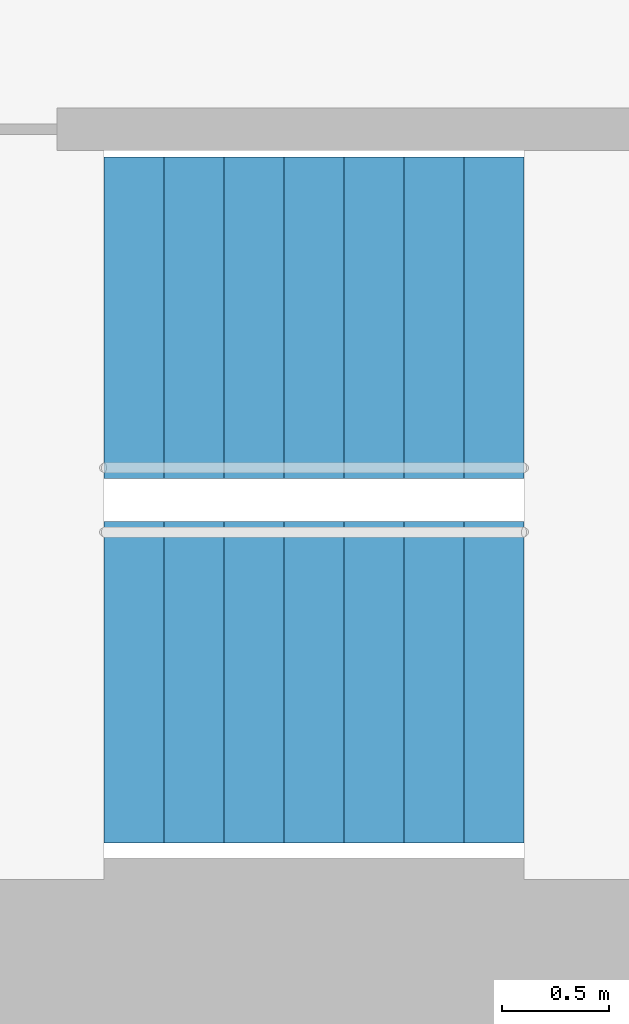
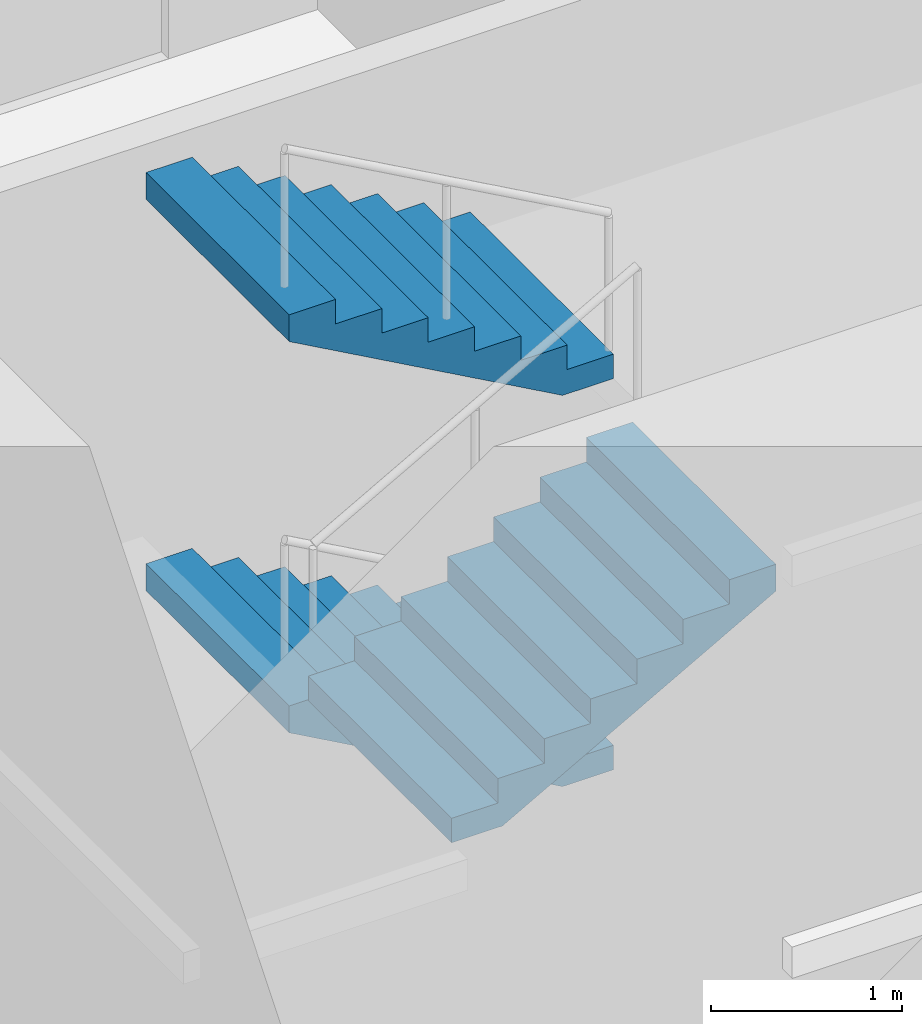
# One storey, part 31 of 73: 3 stair flights, 1 element without a shape of its own.
"""IFC4 building model written with IfcOpenShell, lengths in metres."""

from ifc_helpers import new_model, si_unit, direction, frame, origin, place, context, subcontext, project, spatial, triangles, material, type_object, element, aggregate, save


model = new_model("IFC4")

# Units and contexts
model_context = context("Model", 3, precision=1e-05, world=origin(), true_north=direction((0.0, 1.0)))
body_context = subcontext(model_context, "Body", "Model", "MODEL_VIEW")
ifc_project = project(units=[si_unit("LENGTHUNIT", "METRE"), si_unit("AREAUNIT", "SQUARE_METRE"), si_unit("VOLUMEUNIT", "CUBIC_METRE"), si_unit("PLANEANGLEUNIT", "RADIAN"), si_unit("MASSUNIT", "GRAM", prefix="KILO")], contexts=[model_context])

# Site, building, storey
site_placement = place(None, origin())
site = spatial("IfcSite", under=ifc_project, at=site_placement, CompositionType="ELEMENT")
building_placement = place(site_placement, origin())
building = spatial("IfcBuilding", under=site, at=building_placement, Name="Lantaw Convention Tower", CompositionType="ELEMENT")
storey_placement = place(building_placement, frame((0.0, 0.0, 27.0)))
storey = spatial("IfcBuildingStorey", under=building, at=storey_placement, Name="L04", CompositionType="ELEMENT", Elevation=27.0)

# Stair, stair flights
ifc_material = material(Name="Concrete C35/45", Category="concrete")
stair_type = type_object("IfcStairType", Name="Exit stair 1500 riser 156.25 in 4 flights", PredefinedType="HALF_TURN_STAIR", material=ifc_material)
stair_placement = place(storey_placement, origin())
stair = element("IfcStair", 1, at=stair_placement, inside=storey, type_object=stair_type, Name="Exit stair S1 L04", PredefinedType="HALF_TURN_STAIR")
stair_flight_type = type_object("IfcStairFlightType", Name="Stair flight 1500 riser 156.25", PredefinedType="STRAIGHT", material=ifc_material)
stair_flight_1_placement = place(storey_placement, frame((-8.6201171875, -4.280029296875, 1.25), z_axis=(0.0, 0.0, 1.0), x_axis=(-1.0, 0.0, 0.0)))
stair_flight_1 = element("IfcStairFlight", 2, at=stair_flight_1_placement, type_object=stair_flight_type, Name="S1 flight 2", NumberOfRisers=8, NumberOfTreads=7, PredefinedType="STRAIGHT", RiserHeight=0.15625, TreadLength=0.28, context=body_context, shape_type="Tessellation", body=[
    triangles([(0.0, 0.75, 0.0), (0.0, 0.75, 0.15625), (0.28, 0.75, 0.0), (0.28, 0.75, 0.15625), (0.28, 0.75, 0.3125), (0.3076200632058044, 0.75, 0.0), (0.3076200632058044, 0.75, 0.3125), (0.56, 0.75, 0.14083701830033238), (0.56, 0.75, 0.3125), (0.56, 0.75, 0.46875), (0.8400000000000001, 0.75, 0.29708701830033235), (0.8400000000000001, 0.75, 0.46875), (0.8400000000000001, 0.75, 0.625), (1.12, 0.75, 0.45333701830033235), (1.12, 0.75, 0.625), (1.12, 0.75, 0.78125), (1.4000000000000001, 0.75, 0.6095870183003324), (1.4000000000000001, 0.75, 0.78125), (1.4000000000000001, 0.75, 0.9375), (1.6800000000000002, 0.75, 0.7658370183003324), (1.6800000000000002, 0.75, 0.9375), (1.6800000000000002, 0.75, 1.09375), (1.9600000000000002, 0.75, 0.9220870183003324), (1.9600000000000002, 0.75, 1.09375), (0.0, -0.75, 0.0), (0.0, -0.75, 0.15625), (0.28, -0.75, 0.0), (0.28, -0.75, 0.15625), (0.28, -0.75, 0.3125), (0.3076200632058044, -0.75, 0.0), (0.3076200632058044, -0.75, 0.3125), (0.56, -0.75, 0.14083701830033238), (0.56, -0.75, 0.3125), (0.56, -0.75, 0.46875), (0.8400000000000001, -0.75, 0.29708701830033235), (0.8400000000000001, -0.75, 0.46875), (0.8400000000000001, -0.75, 0.625), (1.12, -0.75, 0.45333701830033235), (1.12, -0.75, 0.625), (1.12, -0.75, 0.78125), (1.4000000000000001, -0.75, 0.6095870183003324), (1.4000000000000001, -0.75, 0.78125), (1.4000000000000001, -0.75, 0.9375), (1.6800000000000002, -0.75, 0.7658370183003324), (1.6800000000000002, -0.75, 0.9375), (1.6800000000000002, -0.75, 1.09375), (1.9600000000000002, -0.75, 0.9220870183003324), (1.9600000000000002, -0.75, 1.09375), (0.0, 0.15000000000000002, 0.15625), (0.0, 0.15000000000000002, 0.0), (0.0, 0.0, 0.15625), (0.0, 0.0, 0.0), (0.0, -0.15000000000000002, 0.15625), (0.0, -0.15000000000000002, 0.0), (0.28, 0.15000000000000002, 0.3125), (0.28, 0.15000000000000002, 0.15625), (0.28, 0.0, 0.3125), (0.28, 0.0, 0.15625), (0.28, -0.15000000000000002, 0.3125), (0.28, -0.15000000000000002, 0.15625), (0.56, 0.15000000000000002, 0.46875), (0.56, 0.15000000000000002, 0.3125), (0.56, 0.0, 0.46875), (0.56, 0.0, 0.3125), (0.56, -0.15000000000000002, 0.46875), (0.56, -0.15000000000000002, 0.3125), (0.8400000000000001, 0.15000000000000002, 0.625), (0.8400000000000001, 0.15000000000000002, 0.46875), (0.8400000000000001, 0.0, 0.625), (0.8400000000000001, 0.0, 0.46875), (0.8400000000000001, -0.15000000000000002, 0.625), (0.8400000000000001, -0.15000000000000002, 0.46875), (1.12, 0.15000000000000002, 0.78125), (1.12, 0.15000000000000002, 0.625), (1.12, 0.0, 0.78125), (1.12, 0.0, 0.625), (1.12, -0.15000000000000002, 0.78125), (1.12, -0.15000000000000002, 0.625), (1.4000000000000001, 0.15000000000000002, 0.9375), (1.4000000000000001, 0.15000000000000002, 0.78125), (1.4000000000000001, 0.0, 0.9375), (1.4000000000000001, 0.0, 0.78125), (1.4000000000000001, -0.15000000000000002, 0.9375), (1.4000000000000001, -0.15000000000000002, 0.78125), (1.6800000000000002, 0.15000000000000002, 1.09375), (1.6800000000000002, 0.15000000000000002, 0.9375), (1.6800000000000002, 0.0, 1.09375), (1.6800000000000002, 0.0, 0.9375), (1.6800000000000002, -0.15000000000000002, 1.09375), (1.6800000000000002, -0.15000000000000002, 0.9375), (0.3076200632058044, 0.15000000000000002, 0.3125), (0.3076200632058044, 0.0, 0.3125), (0.3076200632058044, -0.15000000000000002, 0.3125), (1.9600000000000002, 0.15000000000000002, 1.09375), (1.9600000000000002, 0.0, 1.09375), (1.9600000000000002, -0.15000000000000002, 1.09375), (1.9600000000000002, 0.15000000000000002, 0.9220870183003324), (1.9600000000000002, 0.0, 0.9220870183003324), (1.9600000000000002, -0.15000000000000002, 0.9220870183003324), (1.6800000000000002, 0.15000000000000002, 0.7658370183003324), (1.6800000000000002, 0.0, 0.7658370183003324), (1.6800000000000002, -0.15000000000000002, 0.7658370183003324), (1.4000000000000001, 0.15000000000000002, 0.6095870183003324), (1.4000000000000001, 0.0, 0.6095870183003324), (1.4000000000000001, -0.15000000000000002, 0.6095870183003324), (1.12, 0.15000000000000002, 0.45333701830033235), (1.12, 0.0, 0.45333701830033235), (1.12, -0.15000000000000002, 0.45333701830033235), (0.8400000000000001, 0.15000000000000002, 0.29708701830033235), (0.8400000000000001, 0.0, 0.29708701830033235), (0.8400000000000001, -0.15000000000000002, 0.29708701830033235), (0.56, 0.15000000000000002, 0.14083701830033238), (0.56, 0.0, 0.14083701830033238), (0.56, -0.15000000000000002, 0.14083701830033238), (0.3076200632058044, 0.15000000000000002, 0.0), (0.3076200632058044, 0.0, 0.0), (0.3076200632058044, -0.15000000000000002, 0.0), (0.28, 0.15000000000000002, 0.0), (0.28, 0.0, 0.0), (0.28, -0.15000000000000002, 0.0)], [[1, 4, 3], [1, 2, 4], [3, 4, 6], [4, 7, 6], [4, 5, 7], [6, 9, 8], [6, 7, 9], [8, 9, 11], [9, 12, 11], [9, 10, 12], [11, 12, 14], [12, 15, 14], [12, 13, 15], [14, 15, 17], [15, 18, 17], [15, 16, 18], [17, 18, 20], [18, 21, 20], [18, 19, 21], [20, 21, 23], [21, 24, 23], [21, 22, 24], [25, 27, 28], [25, 28, 26], [27, 30, 28], [28, 30, 31], [28, 31, 29], [30, 32, 33], [30, 33, 31], [32, 35, 33], [33, 35, 36], [33, 36, 34], [35, 38, 36], [36, 38, 39], [36, 39, 37], [38, 41, 39], [39, 41, 42], [39, 42, 40], [41, 44, 42], [42, 44, 45], [42, 45, 43], [44, 47, 45], [45, 47, 48], [45, 48, 46], [1, 49, 2], [1, 50, 49], [50, 51, 49], [50, 52, 51], [52, 53, 51], [52, 54, 53], [54, 26, 53], [54, 25, 26], [4, 55, 5], [4, 56, 55], [56, 57, 55], [56, 58, 57], [58, 59, 57], [58, 60, 59], [60, 29, 59], [60, 28, 29], [9, 61, 10], [9, 62, 61], [62, 63, 61], [62, 64, 63], [64, 65, 63], [64, 66, 65], [66, 34, 65], [66, 33, 34], [12, 67, 13], [12, 68, 67], [68, 69, 67], [68, 70, 69], [70, 71, 69], [70, 72, 71], [72, 37, 71], [72, 36, 37], [15, 73, 16], [15, 74, 73], [74, 75, 73], [74, 76, 75], [76, 77, 75], [76, 78, 77], [78, 40, 77], [78, 39, 40], [18, 79, 19], [18, 80, 79], [80, 81, 79], [80, 82, 81], [82, 83, 81], [82, 84, 83], [84, 43, 83], [84, 42, 43], [21, 85, 22], [21, 86, 85], [86, 87, 85], [86, 88, 87], [88, 89, 87], [88, 90, 89], [90, 46, 89], [90, 45, 46], [2, 56, 4], [2, 49, 56], [49, 58, 56], [49, 51, 58], [51, 60, 58], [51, 53, 60], [53, 28, 60], [53, 26, 28], [5, 91, 7], [5, 55, 91], [55, 92, 91], [55, 57, 92], [57, 93, 92], [57, 59, 93], [59, 31, 93], [59, 29, 31], [7, 62, 9], [7, 91, 62], [91, 64, 62], [91, 92, 64], [92, 66, 64], [92, 93, 66], [93, 33, 66], [93, 31, 33], [10, 68, 12], [10, 61, 68], [61, 70, 68], [61, 63, 70], [63, 72, 70], [63, 65, 72], [65, 36, 72], [65, 34, 36], [13, 74, 15], [13, 67, 74], [67, 76, 74], [67, 69, 76], [69, 78, 76], [69, 71, 78], [71, 39, 78], [71, 37, 39], [16, 80, 18], [16, 73, 80], [73, 82, 80], [73, 75, 82], [75, 84, 82], [75, 77, 84], [77, 42, 84], [77, 40, 42], [19, 86, 21], [19, 79, 86], [79, 88, 86], [79, 81, 88], [81, 90, 88], [81, 83, 90], [83, 45, 90], [83, 43, 45], [22, 94, 24], [22, 85, 94], [85, 95, 94], [85, 87, 95], [87, 96, 95], [87, 89, 96], [89, 48, 96], [89, 46, 48], [24, 97, 23], [24, 94, 97], [94, 98, 97], [94, 95, 98], [95, 99, 98], [95, 96, 99], [96, 47, 99], [96, 48, 47], [23, 100, 20], [23, 97, 100], [97, 101, 100], [97, 98, 101], [98, 102, 101], [98, 99, 102], [99, 44, 102], [99, 47, 44], [20, 103, 17], [20, 100, 103], [100, 104, 103], [100, 101, 104], [101, 105, 104], [101, 102, 105], [102, 41, 105], [102, 44, 41], [17, 106, 14], [17, 103, 106], [103, 107, 106], [103, 104, 107], [104, 108, 107], [104, 105, 108], [105, 38, 108], [105, 41, 38], [14, 109, 11], [14, 106, 109], [106, 110, 109], [106, 107, 110], [107, 111, 110], [107, 108, 111], [108, 35, 111], [108, 38, 35], [11, 112, 8], [11, 109, 112], [109, 113, 112], [109, 110, 113], [110, 114, 113], [110, 111, 114], [111, 32, 114], [111, 35, 32], [8, 115, 6], [8, 112, 115], [112, 116, 115], [112, 113, 116], [113, 117, 116], [113, 114, 117], [114, 30, 117], [114, 32, 30], [6, 118, 3], [6, 115, 118], [115, 119, 118], [115, 116, 119], [116, 120, 119], [116, 117, 120], [117, 27, 120], [117, 30, 27], [3, 50, 1], [3, 118, 50], [118, 52, 50], [118, 119, 52], [119, 54, 52], [119, 120, 54], [120, 25, 54], [120, 27, 25]], closed=True),
])
stair_flight_2_placement = place(storey_placement, frame((-10.580078125, -5.97998046875, 2.5), z_axis=(0.0, 0.0, 1.0), x_axis=(1.0, 0.0, 0.0)))
stair_flight_2 = element("IfcStairFlight", 3, at=stair_flight_2_placement, type_object=stair_flight_type, Name="S1 flight 3", NumberOfRisers=8, NumberOfTreads=7, PredefinedType="STRAIGHT", RiserHeight=0.15625, TreadLength=0.28, context=body_context, shape_type="Tessellation", body=[
    triangles([(0.0, 0.75, 0.0), (0.0, 0.75, 0.15625), (0.28, 0.75, 0.0), (0.28, 0.75, 0.15625), (0.28, 0.75, 0.3125), (0.3076200632058044, 0.75, 0.0), (0.3076200632058044, 0.75, 0.3125), (0.56, 0.75, 0.14083701830033238), (0.56, 0.75, 0.3125), (0.56, 0.75, 0.46875), (0.8400000000000001, 0.75, 0.29708701830033235), (0.8400000000000001, 0.75, 0.46875), (0.8400000000000001, 0.75, 0.625), (1.12, 0.75, 0.45333701830033235), (1.12, 0.75, 0.625), (1.12, 0.75, 0.78125), (1.4000000000000001, 0.75, 0.6095870183003324), (1.4000000000000001, 0.75, 0.78125), (1.4000000000000001, 0.75, 0.9375), (1.6800000000000002, 0.75, 0.7658370183003324), (1.6800000000000002, 0.75, 0.9375), (1.6800000000000002, 0.75, 1.09375), (1.9600000000000002, 0.75, 0.9220870183003324), (1.9600000000000002, 0.75, 1.09375), (0.0, -0.75, 0.0), (0.0, -0.75, 0.15625), (0.28, -0.75, 0.0), (0.28, -0.75, 0.15625), (0.28, -0.75, 0.3125), (0.3076200632058044, -0.75, 0.0), (0.3076200632058044, -0.75, 0.3125), (0.56, -0.75, 0.14083701830033238), (0.56, -0.75, 0.3125), (0.56, -0.75, 0.46875), (0.8400000000000001, -0.75, 0.29708701830033235), (0.8400000000000001, -0.75, 0.46875), (0.8400000000000001, -0.75, 0.625), (1.12, -0.75, 0.45333701830033235), (1.12, -0.75, 0.625), (1.12, -0.75, 0.78125), (1.4000000000000001, -0.75, 0.6095870183003324), (1.4000000000000001, -0.75, 0.78125), (1.4000000000000001, -0.75, 0.9375), (1.6800000000000002, -0.75, 0.7658370183003324), (1.6800000000000002, -0.75, 0.9375), (1.6800000000000002, -0.75, 1.09375), (1.9600000000000002, -0.75, 0.9220870183003324), (1.9600000000000002, -0.75, 1.09375), (0.0, 0.15000000000000002, 0.15625), (0.0, 0.15000000000000002, 0.0), (0.0, 0.0, 0.15625), (0.0, 0.0, 0.0), (0.0, -0.15000000000000002, 0.15625), (0.0, -0.15000000000000002, 0.0), (0.28, 0.15000000000000002, 0.3125), (0.28, 0.15000000000000002, 0.15625), (0.28, 0.0, 0.3125), (0.28, 0.0, 0.15625), (0.28, -0.15000000000000002, 0.3125), (0.28, -0.15000000000000002, 0.15625), (0.56, 0.15000000000000002, 0.46875), (0.56, 0.15000000000000002, 0.3125), (0.56, 0.0, 0.46875), (0.56, 0.0, 0.3125), (0.56, -0.15000000000000002, 0.46875), (0.56, -0.15000000000000002, 0.3125), (0.8400000000000001, 0.15000000000000002, 0.625), (0.8400000000000001, 0.15000000000000002, 0.46875), (0.8400000000000001, 0.0, 0.625), (0.8400000000000001, 0.0, 0.46875), (0.8400000000000001, -0.15000000000000002, 0.625), (0.8400000000000001, -0.15000000000000002, 0.46875), (1.12, 0.15000000000000002, 0.78125), (1.12, 0.15000000000000002, 0.625), (1.12, 0.0, 0.78125), (1.12, 0.0, 0.625), (1.12, -0.15000000000000002, 0.78125), (1.12, -0.15000000000000002, 0.625), (1.4000000000000001, 0.15000000000000002, 0.9375), (1.4000000000000001, 0.15000000000000002, 0.78125), (1.4000000000000001, 0.0, 0.9375), (1.4000000000000001, 0.0, 0.78125), (1.4000000000000001, -0.15000000000000002, 0.9375), (1.4000000000000001, -0.15000000000000002, 0.78125), (1.6800000000000002, 0.15000000000000002, 1.09375), (1.6800000000000002, 0.15000000000000002, 0.9375), (1.6800000000000002, 0.0, 1.09375), (1.6800000000000002, 0.0, 0.9375), (1.6800000000000002, -0.15000000000000002, 1.09375), (1.6800000000000002, -0.15000000000000002, 0.9375), (0.3076200632058044, 0.15000000000000002, 0.3125), (0.3076200632058044, 0.0, 0.3125), (0.3076200632058044, -0.15000000000000002, 0.3125), (1.9600000000000002, 0.15000000000000002, 1.09375), (1.9600000000000002, 0.0, 1.09375), (1.9600000000000002, -0.15000000000000002, 1.09375), (1.9600000000000002, 0.15000000000000002, 0.9220870183003324), (1.9600000000000002, 0.0, 0.9220870183003324), (1.9600000000000002, -0.15000000000000002, 0.9220870183003324), (1.6800000000000002, 0.15000000000000002, 0.7658370183003324), (1.6800000000000002, 0.0, 0.7658370183003324), (1.6800000000000002, -0.15000000000000002, 0.7658370183003324), (1.4000000000000001, 0.15000000000000002, 0.6095870183003324), (1.4000000000000001, 0.0, 0.6095870183003324), (1.4000000000000001, -0.15000000000000002, 0.6095870183003324), (1.12, 0.15000000000000002, 0.45333701830033235), (1.12, 0.0, 0.45333701830033235), (1.12, -0.15000000000000002, 0.45333701830033235), (0.8400000000000001, 0.15000000000000002, 0.29708701830033235), (0.8400000000000001, 0.0, 0.29708701830033235), (0.8400000000000001, -0.15000000000000002, 0.29708701830033235), (0.56, 0.15000000000000002, 0.14083701830033238), (0.56, 0.0, 0.14083701830033238), (0.56, -0.15000000000000002, 0.14083701830033238), (0.3076200632058044, 0.15000000000000002, 0.0), (0.3076200632058044, 0.0, 0.0), (0.3076200632058044, -0.15000000000000002, 0.0), (0.28, 0.15000000000000002, 0.0), (0.28, 0.0, 0.0), (0.28, -0.15000000000000002, 0.0)], [[1, 4, 3], [1, 2, 4], [3, 4, 6], [4, 7, 6], [4, 5, 7], [6, 9, 8], [6, 7, 9], [8, 9, 11], [9, 12, 11], [9, 10, 12], [11, 12, 14], [12, 15, 14], [12, 13, 15], [14, 15, 17], [15, 18, 17], [15, 16, 18], [17, 18, 20], [18, 21, 20], [18, 19, 21], [20, 21, 23], [21, 24, 23], [21, 22, 24], [25, 27, 28], [25, 28, 26], [27, 30, 28], [28, 30, 31], [28, 31, 29], [30, 32, 33], [30, 33, 31], [32, 35, 33], [33, 35, 36], [33, 36, 34], [35, 38, 36], [36, 38, 39], [36, 39, 37], [38, 41, 39], [39, 41, 42], [39, 42, 40], [41, 44, 42], [42, 44, 45], [42, 45, 43], [44, 47, 45], [45, 47, 48], [45, 48, 46], [1, 49, 2], [1, 50, 49], [50, 51, 49], [50, 52, 51], [52, 53, 51], [52, 54, 53], [54, 26, 53], [54, 25, 26], [4, 55, 5], [4, 56, 55], [56, 57, 55], [56, 58, 57], [58, 59, 57], [58, 60, 59], [60, 29, 59], [60, 28, 29], [9, 61, 10], [9, 62, 61], [62, 63, 61], [62, 64, 63], [64, 65, 63], [64, 66, 65], [66, 34, 65], [66, 33, 34], [12, 67, 13], [12, 68, 67], [68, 69, 67], [68, 70, 69], [70, 71, 69], [70, 72, 71], [72, 37, 71], [72, 36, 37], [15, 73, 16], [15, 74, 73], [74, 75, 73], [74, 76, 75], [76, 77, 75], [76, 78, 77], [78, 40, 77], [78, 39, 40], [18, 79, 19], [18, 80, 79], [80, 81, 79], [80, 82, 81], [82, 83, 81], [82, 84, 83], [84, 43, 83], [84, 42, 43], [21, 85, 22], [21, 86, 85], [86, 87, 85], [86, 88, 87], [88, 89, 87], [88, 90, 89], [90, 46, 89], [90, 45, 46], [2, 56, 4], [2, 49, 56], [49, 58, 56], [49, 51, 58], [51, 60, 58], [51, 53, 60], [53, 28, 60], [53, 26, 28], [5, 91, 7], [5, 55, 91], [55, 92, 91], [55, 57, 92], [57, 93, 92], [57, 59, 93], [59, 31, 93], [59, 29, 31], [7, 62, 9], [7, 91, 62], [91, 64, 62], [91, 92, 64], [92, 66, 64], [92, 93, 66], [93, 33, 66], [93, 31, 33], [10, 68, 12], [10, 61, 68], [61, 70, 68], [61, 63, 70], [63, 72, 70], [63, 65, 72], [65, 36, 72], [65, 34, 36], [13, 74, 15], [13, 67, 74], [67, 76, 74], [67, 69, 76], [69, 78, 76], [69, 71, 78], [71, 39, 78], [71, 37, 39], [16, 80, 18], [16, 73, 80], [73, 82, 80], [73, 75, 82], [75, 84, 82], [75, 77, 84], [77, 42, 84], [77, 40, 42], [19, 86, 21], [19, 79, 86], [79, 88, 86], [79, 81, 88], [81, 90, 88], [81, 83, 90], [83, 45, 90], [83, 43, 45], [22, 94, 24], [22, 85, 94], [85, 95, 94], [85, 87, 95], [87, 96, 95], [87, 89, 96], [89, 48, 96], [89, 46, 48], [24, 97, 23], [24, 94, 97], [94, 98, 97], [94, 95, 98], [95, 99, 98], [95, 96, 99], [96, 47, 99], [96, 48, 47], [23, 100, 20], [23, 97, 100], [97, 101, 100], [97, 98, 101], [98, 102, 101], [98, 99, 102], [99, 44, 102], [99, 47, 44], [20, 103, 17], [20, 100, 103], [100, 104, 103], [100, 101, 104], [101, 105, 104], [101, 102, 105], [102, 41, 105], [102, 44, 41], [17, 106, 14], [17, 103, 106], [103, 107, 106], [103, 104, 107], [104, 108, 107], [104, 105, 108], [105, 38, 108], [105, 41, 38], [14, 109, 11], [14, 106, 109], [106, 110, 109], [106, 107, 110], [107, 111, 110], [107, 108, 111], [108, 35, 111], [108, 38, 35], [11, 112, 8], [11, 109, 112], [109, 113, 112], [109, 110, 113], [110, 114, 113], [110, 111, 114], [111, 32, 114], [111, 35, 32], [8, 115, 6], [8, 112, 115], [112, 116, 115], [112, 113, 116], [113, 117, 116], [113, 114, 117], [114, 30, 117], [114, 32, 30], [6, 118, 3], [6, 115, 118], [115, 119, 118], [115, 116, 119], [116, 120, 119], [116, 117, 120], [117, 27, 120], [117, 30, 27], [3, 50, 1], [3, 118, 50], [118, 52, 50], [118, 119, 52], [119, 54, 52], [119, 120, 54], [120, 25, 54], [120, 27, 25]], closed=True),
])
stair_flight_3_placement = place(storey_placement, frame((-8.6201171875, -4.280029296875, 3.75), z_axis=(0.0, 0.0, 1.0), x_axis=(-1.0, 0.0, 0.0)))
stair_flight_3 = element("IfcStairFlight", 4, at=stair_flight_3_placement, type_object=stair_flight_type, Name="S1 flight 4", NumberOfRisers=8, NumberOfTreads=7, PredefinedType="STRAIGHT", RiserHeight=0.15625, TreadLength=0.28, context=body_context, shape_type="Tessellation", body=[
    triangles([(0.0, 0.75, 0.0), (0.0, 0.75, 0.15625), (0.28, 0.75, 0.0), (0.28, 0.75, 0.15625), (0.28, 0.75, 0.3125), (0.3076200632058044, 0.75, 0.0), (0.3076200632058044, 0.75, 0.3125), (0.56, 0.75, 0.14083701830033238), (0.56, 0.75, 0.3125), (0.56, 0.75, 0.46875), (0.8400000000000001, 0.75, 0.29708701830033235), (0.8400000000000001, 0.75, 0.46875), (0.8400000000000001, 0.75, 0.625), (1.12, 0.75, 0.45333701830033235), (1.12, 0.75, 0.625), (1.12, 0.75, 0.78125), (1.4000000000000001, 0.75, 0.6095870183003324), (1.4000000000000001, 0.75, 0.78125), (1.4000000000000001, 0.75, 0.9375), (1.6800000000000002, 0.75, 0.7658370183003324), (1.6800000000000002, 0.75, 0.9375), (1.6800000000000002, 0.75, 1.09375), (1.9600000000000002, 0.75, 0.9220870183003324), (1.9600000000000002, 0.75, 1.09375), (0.0, -0.75, 0.0), (0.0, -0.75, 0.15625), (0.28, -0.75, 0.0), (0.28, -0.75, 0.15625), (0.28, -0.75, 0.3125), (0.3076200632058044, -0.75, 0.0), (0.3076200632058044, -0.75, 0.3125), (0.56, -0.75, 0.14083701830033238), (0.56, -0.75, 0.3125), (0.56, -0.75, 0.46875), (0.8400000000000001, -0.75, 0.29708701830033235), (0.8400000000000001, -0.75, 0.46875), (0.8400000000000001, -0.75, 0.625), (1.12, -0.75, 0.45333701830033235), (1.12, -0.75, 0.625), (1.12, -0.75, 0.78125), (1.4000000000000001, -0.75, 0.6095870183003324), (1.4000000000000001, -0.75, 0.78125), (1.4000000000000001, -0.75, 0.9375), (1.6800000000000002, -0.75, 0.7658370183003324), (1.6800000000000002, -0.75, 0.9375), (1.6800000000000002, -0.75, 1.09375), (1.9600000000000002, -0.75, 0.9220870183003324), (1.9600000000000002, -0.75, 1.09375), (0.0, 0.15000000000000002, 0.15625), (0.0, 0.15000000000000002, 0.0), (0.0, 0.0, 0.15625), (0.0, 0.0, 0.0), (0.0, -0.15000000000000002, 0.15625), (0.0, -0.15000000000000002, 0.0), (0.28, 0.15000000000000002, 0.3125), (0.28, 0.15000000000000002, 0.15625), (0.28, 0.0, 0.3125), (0.28, 0.0, 0.15625), (0.28, -0.15000000000000002, 0.3125), (0.28, -0.15000000000000002, 0.15625), (0.56, 0.15000000000000002, 0.46875), (0.56, 0.15000000000000002, 0.3125), (0.56, 0.0, 0.46875), (0.56, 0.0, 0.3125), (0.56, -0.15000000000000002, 0.46875), (0.56, -0.15000000000000002, 0.3125), (0.8400000000000001, 0.15000000000000002, 0.625), (0.8400000000000001, 0.15000000000000002, 0.46875), (0.8400000000000001, 0.0, 0.625), (0.8400000000000001, 0.0, 0.46875), (0.8400000000000001, -0.15000000000000002, 0.625), (0.8400000000000001, -0.15000000000000002, 0.46875), (1.12, 0.15000000000000002, 0.78125), (1.12, 0.15000000000000002, 0.625), (1.12, 0.0, 0.78125), (1.12, 0.0, 0.625), (1.12, -0.15000000000000002, 0.78125), (1.12, -0.15000000000000002, 0.625), (1.4000000000000001, 0.15000000000000002, 0.9375), (1.4000000000000001, 0.15000000000000002, 0.78125), (1.4000000000000001, 0.0, 0.9375), (1.4000000000000001, 0.0, 0.78125), (1.4000000000000001, -0.15000000000000002, 0.9375), (1.4000000000000001, -0.15000000000000002, 0.78125), (1.6800000000000002, 0.15000000000000002, 1.09375), (1.6800000000000002, 0.15000000000000002, 0.9375), (1.6800000000000002, 0.0, 1.09375), (1.6800000000000002, 0.0, 0.9375), (1.6800000000000002, -0.15000000000000002, 1.09375), (1.6800000000000002, -0.15000000000000002, 0.9375), (0.3076200632058044, 0.15000000000000002, 0.3125), (0.3076200632058044, 0.0, 0.3125), (0.3076200632058044, -0.15000000000000002, 0.3125), (1.9600000000000002, 0.15000000000000002, 1.09375), (1.9600000000000002, 0.0, 1.09375), (1.9600000000000002, -0.15000000000000002, 1.09375), (1.9600000000000002, 0.15000000000000002, 0.9220870183003324), (1.9600000000000002, 0.0, 0.9220870183003324), (1.9600000000000002, -0.15000000000000002, 0.9220870183003324), (1.6800000000000002, 0.15000000000000002, 0.7658370183003324), (1.6800000000000002, 0.0, 0.7658370183003324), (1.6800000000000002, -0.15000000000000002, 0.7658370183003324), (1.4000000000000001, 0.15000000000000002, 0.6095870183003324), (1.4000000000000001, 0.0, 0.6095870183003324), (1.4000000000000001, -0.15000000000000002, 0.6095870183003324), (1.12, 0.15000000000000002, 0.45333701830033235), (1.12, 0.0, 0.45333701830033235), (1.12, -0.15000000000000002, 0.45333701830033235), (0.8400000000000001, 0.15000000000000002, 0.29708701830033235), (0.8400000000000001, 0.0, 0.29708701830033235), (0.8400000000000001, -0.15000000000000002, 0.29708701830033235), (0.56, 0.15000000000000002, 0.14083701830033238), (0.56, 0.0, 0.14083701830033238), (0.56, -0.15000000000000002, 0.14083701830033238), (0.3076200632058044, 0.15000000000000002, 0.0), (0.3076200632058044, 0.0, 0.0), (0.3076200632058044, -0.15000000000000002, 0.0), (0.28, 0.15000000000000002, 0.0), (0.28, 0.0, 0.0), (0.28, -0.15000000000000002, 0.0)], [[1, 4, 3], [1, 2, 4], [3, 4, 6], [4, 7, 6], [4, 5, 7], [6, 9, 8], [6, 7, 9], [8, 9, 11], [9, 12, 11], [9, 10, 12], [11, 12, 14], [12, 15, 14], [12, 13, 15], [14, 15, 17], [15, 18, 17], [15, 16, 18], [17, 18, 20], [18, 21, 20], [18, 19, 21], [20, 21, 23], [21, 24, 23], [21, 22, 24], [25, 27, 28], [25, 28, 26], [27, 30, 28], [28, 30, 31], [28, 31, 29], [30, 32, 33], [30, 33, 31], [32, 35, 33], [33, 35, 36], [33, 36, 34], [35, 38, 36], [36, 38, 39], [36, 39, 37], [38, 41, 39], [39, 41, 42], [39, 42, 40], [41, 44, 42], [42, 44, 45], [42, 45, 43], [44, 47, 45], [45, 47, 48], [45, 48, 46], [1, 49, 2], [1, 50, 49], [50, 51, 49], [50, 52, 51], [52, 53, 51], [52, 54, 53], [54, 26, 53], [54, 25, 26], [4, 55, 5], [4, 56, 55], [56, 57, 55], [56, 58, 57], [58, 59, 57], [58, 60, 59], [60, 29, 59], [60, 28, 29], [9, 61, 10], [9, 62, 61], [62, 63, 61], [62, 64, 63], [64, 65, 63], [64, 66, 65], [66, 34, 65], [66, 33, 34], [12, 67, 13], [12, 68, 67], [68, 69, 67], [68, 70, 69], [70, 71, 69], [70, 72, 71], [72, 37, 71], [72, 36, 37], [15, 73, 16], [15, 74, 73], [74, 75, 73], [74, 76, 75], [76, 77, 75], [76, 78, 77], [78, 40, 77], [78, 39, 40], [18, 79, 19], [18, 80, 79], [80, 81, 79], [80, 82, 81], [82, 83, 81], [82, 84, 83], [84, 43, 83], [84, 42, 43], [21, 85, 22], [21, 86, 85], [86, 87, 85], [86, 88, 87], [88, 89, 87], [88, 90, 89], [90, 46, 89], [90, 45, 46], [2, 56, 4], [2, 49, 56], [49, 58, 56], [49, 51, 58], [51, 60, 58], [51, 53, 60], [53, 28, 60], [53, 26, 28], [5, 91, 7], [5, 55, 91], [55, 92, 91], [55, 57, 92], [57, 93, 92], [57, 59, 93], [59, 31, 93], [59, 29, 31], [7, 62, 9], [7, 91, 62], [91, 64, 62], [91, 92, 64], [92, 66, 64], [92, 93, 66], [93, 33, 66], [93, 31, 33], [10, 68, 12], [10, 61, 68], [61, 70, 68], [61, 63, 70], [63, 72, 70], [63, 65, 72], [65, 36, 72], [65, 34, 36], [13, 74, 15], [13, 67, 74], [67, 76, 74], [67, 69, 76], [69, 78, 76], [69, 71, 78], [71, 39, 78], [71, 37, 39], [16, 80, 18], [16, 73, 80], [73, 82, 80], [73, 75, 82], [75, 84, 82], [75, 77, 84], [77, 42, 84], [77, 40, 42], [19, 86, 21], [19, 79, 86], [79, 88, 86], [79, 81, 88], [81, 90, 88], [81, 83, 90], [83, 45, 90], [83, 43, 45], [22, 94, 24], [22, 85, 94], [85, 95, 94], [85, 87, 95], [87, 96, 95], [87, 89, 96], [89, 48, 96], [89, 46, 48], [24, 97, 23], [24, 94, 97], [94, 98, 97], [94, 95, 98], [95, 99, 98], [95, 96, 99], [96, 47, 99], [96, 48, 47], [23, 100, 20], [23, 97, 100], [97, 101, 100], [97, 98, 101], [98, 102, 101], [98, 99, 102], [99, 44, 102], [99, 47, 44], [20, 103, 17], [20, 100, 103], [100, 104, 103], [100, 101, 104], [101, 105, 104], [101, 102, 105], [102, 41, 105], [102, 44, 41], [17, 106, 14], [17, 103, 106], [103, 107, 106], [103, 104, 107], [104, 108, 107], [104, 105, 108], [105, 38, 108], [105, 41, 38], [14, 109, 11], [14, 106, 109], [106, 110, 109], [106, 107, 110], [107, 111, 110], [107, 108, 111], [108, 35, 111], [108, 38, 35], [11, 112, 8], [11, 109, 112], [109, 113, 112], [109, 110, 113], [110, 114, 113], [110, 111, 114], [111, 32, 114], [111, 35, 32], [8, 115, 6], [8, 112, 115], [112, 116, 115], [112, 113, 116], [113, 117, 116], [113, 114, 117], [114, 30, 117], [114, 32, 30], [6, 118, 3], [6, 115, 118], [115, 119, 118], [115, 116, 119], [116, 120, 119], [116, 117, 120], [117, 27, 120], [117, 30, 27], [3, 50, 1], [3, 118, 50], [118, 52, 50], [118, 119, 52], [119, 54, 52], [119, 120, 54], [120, 25, 54], [120, 27, 25]], closed=True),
])
aggregate(stair, [stair_flight_1, stair_flight_2, stair_flight_3])

save(model, "model.ifc")
